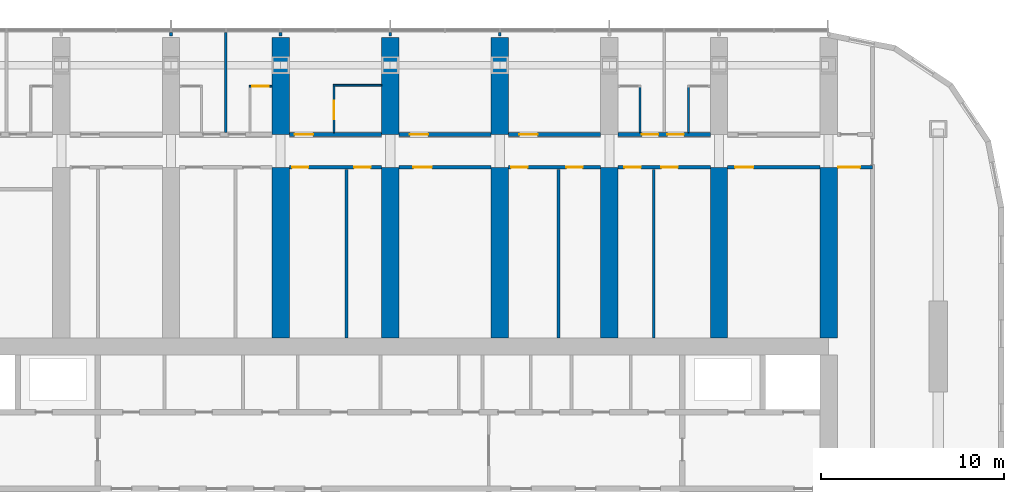
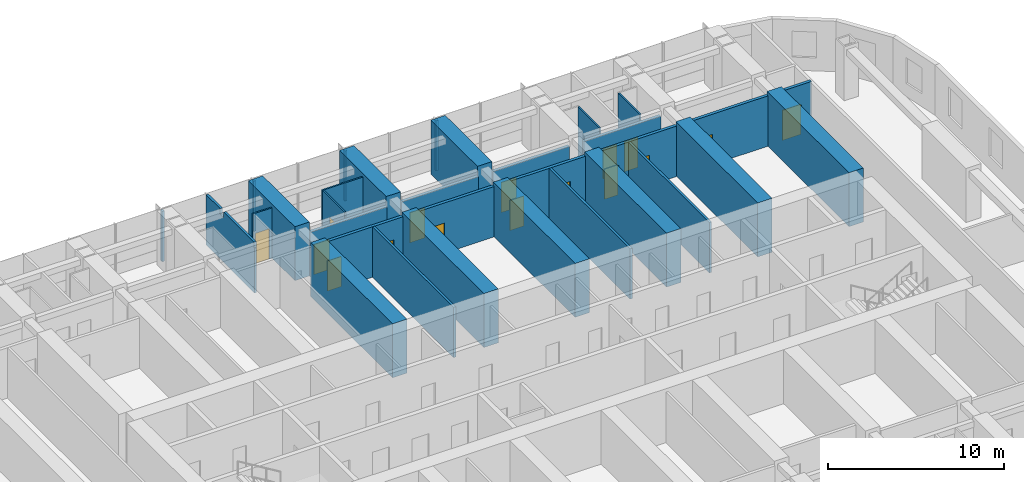
# One storey, part 14 of 21: 32 walls, 16 doors, 16 openings.
"""IFC4 building model written with IfcOpenShell, lengths in metres."""

from ifc_helpers import new_model, si_unit, direction, frame, frame_2d, origin, place, context, subcontext, project, spatial, polyline, rectangle, outline, extrude, material, layer, layer_set, type_object, element, fill, save


model = new_model("IFC4")

# Units and contexts
model_context = context("Model", 3, precision=1e-05, world=origin(), true_north=direction((0.0, 1.0)))
body_context = subcontext(model_context, "Body", "Model", "MODEL_VIEW")
ifc_project = project(units=[si_unit("LENGTHUNIT", "METRE"), si_unit("AREAUNIT", "SQUARE_METRE"), si_unit("VOLUMEUNIT", "CUBIC_METRE"), si_unit("PLANEANGLEUNIT", "RADIAN"), si_unit("MASSUNIT", "GRAM", prefix="KILO")], contexts=[model_context])

# Site, building, storey
site_placement = place(None, origin())
site = spatial("IfcSite", under=ifc_project, at=site_placement, CompositionType="ELEMENT")
building_placement = place(site_placement, origin())
building = spatial("IfcBuilding", under=site, at=building_placement, Name="Orbita Commons", CompositionType="ELEMENT")
storey_placement = place(building_placement, frame((0.0, 0.0, 125.64990234375)))
storey = spatial("IfcBuildingStorey", under=building, at=storey_placement, Name="L31", CompositionType="ELEMENT", Elevation=125.64990234375)

# Wall, opening, door
ifc_material_1 = material(Name="Concrete blockwork", Category="masonry")
ifc_layer_1 = layer(ifc_material_1, 0.199951171875)
ifc_layer_set_1 = layer_set([ifc_layer_1], Name="Concrete blockwork")
wall_type_1 = type_object("IfcWallType", Name="Corridor wall 200 blockwork", PredefinedType="SOLIDWALL", material=ifc_layer_set_1)
wall_1_placement = place(storey_placement, frame((36.47509765625, 49.800048828125, 0.0), z_axis=(0.0, 0.0, 1.0), x_axis=(1.0, 0.0, 0.0)))
wall_1 = element("IfcWall", 1, at=wall_1_placement, inside=storey, type_object=wall_type_1, Name="Corridor wall 200 blockwork L31", PredefinedType="SOLIDWALL", context=body_context, shape_type="SweptSolid", body=[
    extrude(outline(polyline([(0.0, 0.0), (5.0498046875, 0.0), (5.050048828125, 3.10009765625), (0.0, 3.10009765625), (0.0, 0.0)])), frame((0.0, 0.10009765625, 0.0), z_axis=(0.0, -1.0, 0.0), x_axis=(1.0, 0.0, 0.0)), (0.0, 0.0, 1.0), 0.199951171875),
])
opening_1_placement = place(wall_1_placement, frame((0.300048828125, 0.0, 0.0)))
opening_1 = element("IfcOpeningElement", 2, at=opening_1_placement, cuts=wall_1, Name="Opening D06", PredefinedType="OPENING", context=body_context, shape_type="SweptSolid", body=[
    extrude(rectangle(XDim=1.0, YDim=2.10009765625, at=frame_2d((0.5, 1.050048828125))), frame((0.0, 0.10986328125, 0.0), z_axis=(0.0, -1.0, 0.0), x_axis=(1.0, 0.0, 0.0)), (0.0, 0.0, 1.0), 0.219970703125),
])
ifc_material_2 = material(Name="Steel-faced fire door leaf", Category="steel")
door_type_1 = type_object("IfcDoorType", Name="Corridor door 20 min 1000x2100", OperationType="SINGLE_SWING_LEFT", PredefinedType="DOOR", material=ifc_material_2)
door_1_placement = place(opening_1_placement, origin())
door_1 = element("IfcDoor", 3, at=door_1_placement, inside=storey, type_object=door_type_1, Name="Accessible bedroom L31-N08 door", OperationType="SINGLE_SWING_LEFT", OverallHeight=2.10009765625, OverallWidth=1.0, PredefinedType="DOOR", context=body_context, shape_type="SweptSolid", body=[
    extrude(rectangle(XDim=1.0, YDim=2.10009765625, at=frame_2d((0.5, 1.050048828125))), frame((0.0, 0.02490234375, 0.0), z_axis=(0.0, -1.0, 0.0), x_axis=(1.0, 0.0, 0.0)), (0.0, 0.0, 1.0), 0.050048828125),
])
fill(opening_1, door_1)

wall_2_placement = place(storey_placement, frame((42.47509765625, 49.800048828125, 0.0), z_axis=(0.0, 0.0, 1.0), x_axis=(1.0, 0.0, 0.0)))
wall_2 = element("IfcWall", 4, at=wall_2_placement, inside=storey, type_object=wall_type_1, Name="Corridor wall 200 blockwork L31", PredefinedType="SOLIDWALL", context=body_context, shape_type="SweptSolid", body=[
    extrude(outline(polyline([(0.0, 0.0), (5.0498046875, 0.0), (5.050048828125, 3.10009765625), (0.0, 3.10009765625), (0.0, 0.0)])), frame((0.0, 0.10009765625, 0.0), z_axis=(0.0, -1.0, 0.0), x_axis=(1.0, 0.0, 0.0)), (0.0, 0.0, 1.0), 0.199951171875),
])
opening_2_placement = place(wall_2_placement, frame((0.60009765625, 0.0, 0.0)))
opening_2 = element("IfcOpeningElement", 5, at=opening_2_placement, cuts=wall_2, Name="Opening D06", PredefinedType="OPENING", context=body_context, shape_type="SweptSolid", body=[
    extrude(rectangle(XDim=1.0, YDim=2.10009765625, at=frame_2d((0.5, 1.050048828125))), frame((0.0, 0.10986328125, 0.0), z_axis=(0.0, -1.0, 0.0), x_axis=(1.0, 0.0, 0.0)), (0.0, 0.0, 1.0), 0.219970703125),
])
door_2_placement = place(opening_2_placement, origin())
door_2 = element("IfcDoor", 6, at=door_2_placement, inside=storey, type_object=door_type_1, Name="Sea-view lounge L31-N10 door", OperationType="SINGLE_SWING_LEFT", OverallHeight=2.10009765625, OverallWidth=1.0, PredefinedType="DOOR", context=body_context, shape_type="SweptSolid", body=[
    extrude(rectangle(XDim=1.0, YDim=2.10009765625, at=frame_2d((0.5, 1.050048828125))), frame((0.0, 0.02490234375, 0.0), z_axis=(0.0, -1.0, 0.0), x_axis=(1.0, 0.0, 0.0)), (0.0, 0.0, 1.0), 0.050048828125),
])
fill(opening_2, door_2)

wall_3_placement = place(storey_placement, frame((48.47509765625, 49.800048828125, 0.0), z_axis=(0.0, 0.0, 1.0), x_axis=(1.0, 0.0, 0.0)))
wall_3 = element("IfcWall", 7, at=wall_3_placement, inside=storey, type_object=wall_type_1, Name="Corridor wall 200 blockwork L31", PredefinedType="SOLIDWALL", context=body_context, shape_type="SweptSolid", body=[
    extrude(outline(polyline([(0.0, 0.0), (5.0498046875, 0.0), (5.050048828125, 3.10009765625), (0.0, 3.10009765625), (0.0, 0.0)])), frame((0.0, 0.10009765625, 0.0), z_axis=(0.0, -1.0, 0.0), x_axis=(1.0, 0.0, 0.0)), (0.0, 0.0, 1.0), 0.199951171875),
])
opening_3_placement = place(wall_3_placement, frame((0.60009765625, 0.0, 0.0)))
opening_3 = element("IfcOpeningElement", 8, at=opening_3_placement, cuts=wall_3, Name="Opening D06", PredefinedType="OPENING", context=body_context, shape_type="SweptSolid", body=[
    extrude(rectangle(XDim=1.0, YDim=2.10009765625, at=frame_2d((0.5, 1.050048828125))), frame((0.0, 0.10986328125, 0.0), z_axis=(0.0, -1.0, 0.0), x_axis=(1.0, 0.0, 0.0)), (0.0, 0.0, 1.0), 0.219970703125),
])
door_3_placement = place(opening_3_placement, origin())
door_3 = element("IfcDoor", 9, at=door_3_placement, inside=storey, type_object=door_type_1, Name="Sea-view lounge L31-N12 door", OperationType="SINGLE_SWING_LEFT", OverallHeight=2.10009765625, OverallWidth=1.0, PredefinedType="DOOR", context=body_context, shape_type="SweptSolid", body=[
    extrude(rectangle(XDim=1.0, YDim=2.10009765625, at=frame_2d((0.5, 1.050048828125))), frame((0.0, 0.02490234375, 0.0), z_axis=(0.0, -1.0, 0.0), x_axis=(1.0, 0.0, 0.0)), (0.0, 0.0, 1.0), 0.050048828125),
])
fill(opening_3, door_3)

# Wall, openings, doors
wall_4_placement = place(storey_placement, frame((54.47509765625, 49.800048828125, 0.0), z_axis=(0.0, 0.0, 1.0), x_axis=(1.0, 0.0, 0.0)))
wall_4 = element("IfcWall", 10, at=wall_4_placement, inside=storey, type_object=wall_type_1, Name="Corridor wall 200 blockwork L31", PredefinedType="SOLIDWALL", context=body_context, shape_type="SweptSolid", body=[
    extrude(outline(polyline([(0.0, 0.0), (5.0498046875, 0.0), (5.050048828125, 3.10009765625), (0.0, 3.10009765625), (0.0, 0.0)])), frame((0.0, 0.10009765625, 0.0), z_axis=(0.0, -1.0, 0.0), x_axis=(1.0, 0.0, 0.0)), (0.0, 0.0, 1.0), 0.199951171875),
])
opening_4_placement = place(wall_4_placement, frame((1.300048828125, 0.0, 0.0)))
opening_4 = element("IfcOpeningElement", 11, at=opening_4_placement, cuts=wall_4, Name="Opening D11", PredefinedType="OPENING", context=body_context, shape_type="SweptSolid", body=[
    extrude(rectangle(XDim=0.89990234375, YDim=2.10009765625, at=frame_2d((0.449951171875, 1.050048828125))), frame((0.0, 0.10986328125, 0.0), z_axis=(0.0, -1.0, 0.0), x_axis=(1.0, 0.0, 0.0)), (0.0, 0.0, 1.0), 0.219970703125),
])
opening_5_placement = place(wall_4_placement, frame((2.699951171875, 0.0, 0.0)))
opening_5 = element("IfcOpeningElement", 12, at=opening_5_placement, cuts=wall_4, Name="Opening D11", PredefinedType="OPENING", context=body_context, shape_type="SweptSolid", body=[
    extrude(rectangle(XDim=0.89990234375, YDim=2.10009765625, at=frame_2d((0.449951171875, 1.050048828125))), frame((0.0, 0.10986328125, 0.0), z_axis=(0.0, -1.0, 0.0), x_axis=(1.0, 0.0, 0.0)), (0.0, 0.0, 1.0), 0.219970703125),
])
ifc_material_3 = material(Name="Steel-faced fire door leaf", Category="steel")
door_type_2 = type_object("IfcDoorType", Name="Corridor door 20 min 900x2100", OperationType="SINGLE_SWING_LEFT", PredefinedType="DOOR", material=ifc_material_3)
door_4_placement = place(opening_4_placement, origin())
door_4 = element("IfcDoor", 13, at=door_4_placement, inside=storey, type_object=door_type_2, Name="Cluster bedroom L31-N14 door", OperationType="SINGLE_SWING_LEFT", OverallHeight=2.10009765625, OverallWidth=0.89990234375, PredefinedType="DOOR", context=body_context, shape_type="SweptSolid", body=[
    extrude(rectangle(XDim=0.89990234375, YDim=2.10009765625, at=frame_2d((0.449951171875, 1.050048828125))), frame((0.0, 0.02490234375, 0.0), z_axis=(0.0, -1.0, 0.0), x_axis=(1.0, 0.0, 0.0)), (0.0, 0.0, 1.0), 0.050048828125),
])
fill(opening_4, door_4)
door_5_placement = place(opening_5_placement, origin())
door_5 = element("IfcDoor", 14, at=door_5_placement, inside=storey, type_object=door_type_2, Name="Cluster bedroom L31-N15 door", OperationType="SINGLE_SWING_LEFT", OverallHeight=2.10009765625, OverallWidth=0.89990234375, PredefinedType="DOOR", context=body_context, shape_type="SweptSolid", body=[
    extrude(rectangle(XDim=0.89990234375, YDim=2.10009765625, at=frame_2d((0.449951171875, 1.050048828125))), frame((0.0, 0.02490234375, 0.0), z_axis=(0.0, -1.0, 0.0), x_axis=(1.0, 0.0, 0.0)), (0.0, 0.0, 1.0), 0.050048828125),
])
fill(opening_5, door_5)

ifc_material_4 = material(Name="Hollow concrete block 200", Category="concrete")
ifc_layer_2 = layer(ifc_material_4, 0.199951171875)
ifc_layer_set_2 = layer_set([ifc_layer_2], Name="Hollow concrete block 200")
wall_type_2 = type_object("IfcWallType", Name="Corridor wall 200 hollow concrete block", PredefinedType="SOLIDWALL", material=ifc_layer_set_2)
wall_5_placement = place(storey_placement, frame((36.47509765625, 48.0, 0.0), z_axis=(0.0, 0.0, 1.0), x_axis=(1.0, 0.0, 0.0)))
wall_5 = element("IfcWall", 15, at=wall_5_placement, inside=storey, type_object=wall_type_2, Name="Corridor wall 200 hollow concrete block L31", PredefinedType="SOLIDWALL", context=body_context, shape_type="SweptSolid", body=[
    extrude(rectangle(XDim=5.0498046875, YDim=0.199951171875, at=frame_2d((2.52490234375, 0.0))), origin(), (0.0, 0.0, 1.0), 3.5),
])
opening_6_placement = place(wall_5_placement, frame((0.14990234375, 0.0, 0.0)))
opening_6 = element("IfcOpeningElement", 16, at=opening_6_placement, cuts=wall_5, Name="Opening D11", PredefinedType="OPENING", context=body_context, shape_type="SweptSolid", body=[
    extrude(rectangle(XDim=0.89990234375, YDim=2.10009765625, at=frame_2d((0.449951171875, 1.050048828125))), frame((0.0, 0.10986328125, 0.0), z_axis=(0.0, -1.0, 0.0), x_axis=(1.0, 0.0, 0.0)), (0.0, 0.0, 1.0), 0.219970703125),
])
opening_7_placement = place(wall_5_placement, frame((3.554931640625, 0.0, 0.0)))
opening_7 = element("IfcOpeningElement", 17, at=opening_7_placement, cuts=wall_5, Name="Opening D11", PredefinedType="OPENING", context=body_context, shape_type="SweptSolid", body=[
    extrude(rectangle(XDim=0.89990234375, YDim=2.10009765625, at=frame_2d((0.449951171875, 1.050048828125))), frame((0.0, 0.10986328125, 0.0), z_axis=(0.0, -1.0, 0.0), x_axis=(1.0, 0.0, 0.0)), (0.0, 0.0, 1.0), 0.219970703125),
])
door_6_placement = place(opening_6_placement, origin())
door_6 = element("IfcDoor", 18, at=door_6_placement, inside=storey, type_object=door_type_2, Name="Linen store L31-BDN36 door", OperationType="SINGLE_SWING_LEFT", OverallHeight=2.10009765625, OverallWidth=0.89990234375, PredefinedType="DOOR", context=body_context, shape_type="SweptSolid", body=[
    extrude(rectangle(XDim=0.89990234375, YDim=2.10009765625, at=frame_2d((0.449951171875, 1.050048828125))), frame((0.0, 0.02490234375, 0.0), z_axis=(0.0, -1.0, 0.0), x_axis=(1.0, 0.0, 0.0)), (0.0, 0.0, 1.0), 0.050048828125),
])
fill(opening_6, door_6)
door_7_placement = place(opening_7_placement, origin())
door_7 = element("IfcDoor", 19, at=door_7_placement, inside=storey, type_object=door_type_2, Name="Water heater cupboard L31-BDN36n door", OperationType="SINGLE_SWING_LEFT", OverallHeight=2.10009765625, OverallWidth=0.89990234375, PredefinedType="DOOR", context=body_context, shape_type="SweptSolid", body=[
    extrude(rectangle(XDim=0.89990234375, YDim=2.10009765625, at=frame_2d((0.449951171875, 1.050048828125))), frame((0.0, 0.02490234375, 0.0), z_axis=(0.0, -1.0, 0.0), x_axis=(1.0, 0.0, 0.0)), (0.0, 0.0, 1.0), 0.050048828125),
])
fill(opening_7, door_7)

# Wall, opening, door
wall_6_placement = place(storey_placement, frame((42.47509765625, 48.0, 0.0), z_axis=(0.0, 0.0, 1.0), x_axis=(1.0, 0.0, 0.0)))
wall_6 = element("IfcWall", 20, at=wall_6_placement, inside=storey, type_object=wall_type_2, Name="Corridor wall 200 hollow concrete block L31", PredefinedType="SOLIDWALL", context=body_context, shape_type="SweptSolid", body=[
    extrude(rectangle(XDim=5.0498046875, YDim=0.199951171875, at=frame_2d((2.52490234375, 0.0))), origin(), (0.0, 0.0, 1.0), 3.5),
])
opening_8_placement = place(wall_6_placement, frame((0.800048828125, 0.0, 0.0)))
opening_8 = element("IfcOpeningElement", 21, at=opening_8_placement, cuts=wall_6, Name="Opening D06", PredefinedType="OPENING", context=body_context, shape_type="SweptSolid", body=[
    extrude(rectangle(XDim=1.0, YDim=2.10009765625, at=frame_2d((0.5, 1.050048828125))), frame((0.0, 0.10986328125, 0.0), z_axis=(0.0, -1.0, 0.0), x_axis=(1.0, 0.0, 0.0)), (0.0, 0.0, 1.0), 0.219970703125),
])
door_8_placement = place(opening_8_placement, origin())
door_8 = element("IfcDoor", 22, at=door_8_placement, inside=storey, type_object=door_type_1, Name="Refuse and recycling room L31-BDN42 door", OperationType="SINGLE_SWING_LEFT", OverallHeight=2.10009765625, OverallWidth=1.0, PredefinedType="DOOR", context=body_context, shape_type="SweptSolid", body=[
    extrude(rectangle(XDim=1.0, YDim=2.10009765625, at=frame_2d((0.5, 1.050048828125))), frame((0.0, 0.02490234375, 0.0), z_axis=(0.0, -1.0, 0.0), x_axis=(1.0, 0.0, 0.0)), (0.0, 0.0, 1.0), 0.050048828125),
])
fill(opening_8, door_8)

# Wall, openings, doors
wall_7_placement = place(storey_placement, frame((48.47509765625, 48.0, 0.0), z_axis=(0.0, 0.0, 1.0), x_axis=(1.0, 0.0, 0.0)))
wall_7 = element("IfcWall", 23, at=wall_7_placement, inside=storey, type_object=wall_type_2, Name="Corridor wall 200 hollow concrete block L31", PredefinedType="SOLIDWALL", context=body_context, shape_type="SweptSolid", body=[
    extrude(rectangle(XDim=5.0498046875, YDim=0.199951171875, at=frame_2d((2.52490234375, 0.0))), origin(), (0.0, 0.0, 1.0), 3.5),
])
opening_9_placement = place(wall_7_placement, frame((0.14990234375, 0.0, 0.0)))
opening_9 = element("IfcOpeningElement", 24, at=opening_9_placement, cuts=wall_7, Name="Opening D11", PredefinedType="OPENING", context=body_context, shape_type="SweptSolid", body=[
    extrude(rectangle(XDim=0.89990234375, YDim=2.10009765625, at=frame_2d((0.449951171875, 1.050048828125))), frame((0.0, 0.10986328125, 0.0), z_axis=(0.0, -1.0, 0.0), x_axis=(1.0, 0.0, 0.0)), (0.0, 0.0, 1.0), 0.219970703125),
])
opening_10_placement = place(wall_7_placement, frame((3.1650390625, 0.0, 0.0)))
opening_10 = element("IfcOpeningElement", 25, at=opening_10_placement, cuts=wall_7, Name="Opening D11", PredefinedType="OPENING", context=body_context, shape_type="SweptSolid", body=[
    extrude(rectangle(XDim=0.89990234375, YDim=2.10009765625, at=frame_2d((0.449951171875, 1.050048828125))), frame((0.0, 0.10986328125, 0.0), z_axis=(0.0, -1.0, 0.0), x_axis=(1.0, 0.0, 0.0)), (0.0, 0.0, 1.0), 0.219970703125),
])
door_9_placement = place(opening_9_placement, origin())
door_9 = element("IfcDoor", 26, at=door_9_placement, inside=storey, type_object=door_type_2, Name="Bulk and luggage store L31-BDN48 door", OperationType="SINGLE_SWING_LEFT", OverallHeight=2.10009765625, OverallWidth=0.89990234375, PredefinedType="DOOR", context=body_context, shape_type="SweptSolid", body=[
    extrude(rectangle(XDim=0.89990234375, YDim=2.10009765625, at=frame_2d((0.449951171875, 1.050048828125))), frame((0.0, 0.02490234375, 0.0), z_axis=(0.0, -1.0, 0.0), x_axis=(1.0, 0.0, 0.0)), (0.0, 0.0, 1.0), 0.050048828125),
])
fill(opening_9, door_9)
door_10_placement = place(opening_10_placement, origin())
door_10 = element("IfcDoor", 27, at=door_10_placement, inside=storey, type_object=door_type_2, Name="Battery and UPS room L31-BDN48n door", OperationType="SINGLE_SWING_LEFT", OverallHeight=2.10009765625, OverallWidth=0.89990234375, PredefinedType="DOOR", context=body_context, shape_type="SweptSolid", body=[
    extrude(rectangle(XDim=0.89990234375, YDim=2.10009765625, at=frame_2d((0.449951171875, 1.050048828125))), frame((0.0, 0.02490234375, 0.0), z_axis=(0.0, -1.0, 0.0), x_axis=(1.0, 0.0, 0.0)), (0.0, 0.0, 1.0), 0.050048828125),
])
fill(opening_10, door_10)

wall_8_placement = place(storey_placement, frame((54.47509765625, 48.0, 0.0), z_axis=(0.0, 0.0, 1.0), x_axis=(1.0, 0.0, 0.0)))
wall_8 = element("IfcWall", 28, at=wall_8_placement, inside=storey, type_object=wall_type_2, Name="Corridor wall 200 hollow concrete block L31", PredefinedType="SOLIDWALL", context=body_context, shape_type="SweptSolid", body=[
    extrude(rectangle(XDim=5.0498046875, YDim=0.199951171875, at=frame_2d((2.52490234375, 0.0))), origin(), (0.0, 0.0, 1.0), 3.5),
])
opening_11_placement = place(wall_8_placement, frame((0.35009765625, 0.0, 0.0)))
opening_11 = element("IfcOpeningElement", 29, at=opening_11_placement, cuts=wall_8, Name="Opening D11", PredefinedType="OPENING", context=body_context, shape_type="SweptSolid", body=[
    extrude(rectangle(XDim=0.89990234375, YDim=2.10009765625, at=frame_2d((0.449951171875, 1.050048828125))), frame((0.0, 0.10986328125, 0.0), z_axis=(0.0, -1.0, 0.0), x_axis=(1.0, 0.0, 0.0)), (0.0, 0.0, 1.0), 0.219970703125),
])
opening_12_placement = place(wall_8_placement, frame((2.375, 0.0, 0.0)))
opening_12 = element("IfcOpeningElement", 30, at=opening_12_placement, cuts=wall_8, Name="Opening D11", PredefinedType="OPENING", context=body_context, shape_type="SweptSolid", body=[
    extrude(rectangle(XDim=0.89990234375, YDim=2.10009765625, at=frame_2d((0.449951171875, 1.050048828125))), frame((0.0, 0.10986328125, 0.0), z_axis=(0.0, -1.0, 0.0), x_axis=(1.0, 0.0, 0.0)), (0.0, 0.0, 1.0), 0.219970703125),
])
door_11_placement = place(opening_11_placement, origin())
door_11 = element("IfcDoor", 31, at=door_11_placement, inside=storey, type_object=door_type_2, Name="Sprinkler valve room L31-BDN54n door", OperationType="SINGLE_SWING_LEFT", OverallHeight=2.10009765625, OverallWidth=0.89990234375, PredefinedType="DOOR", context=body_context, shape_type="SweptSolid", body=[
    extrude(rectangle(XDim=0.89990234375, YDim=2.10009765625, at=frame_2d((0.449951171875, 1.050048828125))), frame((0.0, 0.02490234375, 0.0), z_axis=(0.0, -1.0, 0.0), x_axis=(1.0, 0.0, 0.0)), (0.0, 0.0, 1.0), 0.050048828125),
])
fill(opening_11, door_11)
door_12_placement = place(opening_12_placement, origin())
door_12 = element("IfcDoor", 32, at=door_12_placement, inside=storey, type_object=door_type_2, Name="Cleaners store L31-BDN54 door", OperationType="SINGLE_SWING_LEFT", OverallHeight=2.10009765625, OverallWidth=0.89990234375, PredefinedType="DOOR", context=body_context, shape_type="SweptSolid", body=[
    extrude(rectangle(XDim=0.89990234375, YDim=2.10009765625, at=frame_2d((0.449951171875, 1.050048828125))), frame((0.0, 0.02490234375, 0.0), z_axis=(0.0, -1.0, 0.0), x_axis=(1.0, 0.0, 0.0)), (0.0, 0.0, 1.0), 0.050048828125),
])
fill(opening_12, door_12)

# Wall, opening, door
wall_9_placement = place(storey_placement, frame((60.47509765625, 48.0, 0.0), z_axis=(0.0, 0.0, 1.0), x_axis=(1.0, 0.0, 0.0)))
wall_9 = element("IfcWall", 33, at=wall_9_placement, inside=storey, type_object=wall_type_2, Name="Corridor wall 200 hollow concrete block L31", PredefinedType="SOLIDWALL", context=body_context, shape_type="SweptSolid", body=[
    extrude(rectangle(XDim=5.0498046875, YDim=0.199951171875, at=frame_2d((2.52490234375, 0.0))), origin(), (0.0, 0.0, 1.0), 3.5),
])
opening_13_placement = place(wall_9_placement, frame((0.39990234375, 0.0, 0.0)))
opening_13 = element("IfcOpeningElement", 34, at=opening_13_placement, cuts=wall_9, Name="Opening D06", PredefinedType="OPENING", context=body_context, shape_type="SweptSolid", body=[
    extrude(rectangle(XDim=1.0, YDim=2.10009765625, at=frame_2d((0.5, 1.050048828125))), frame((0.0, 0.10986328125, 0.0), z_axis=(0.0, -1.0, 0.0), x_axis=(1.0, 0.0, 0.0)), (0.0, 0.0, 1.0), 0.219970703125),
])
door_13_placement = place(opening_13_placement, origin())
door_13 = element("IfcDoor", 35, at=door_13_placement, inside=storey, type_object=door_type_1, Name="Store L31-BDN60 door", OperationType="SINGLE_SWING_LEFT", OverallHeight=2.10009765625, OverallWidth=1.0, PredefinedType="DOOR", context=body_context, shape_type="SweptSolid", body=[
    extrude(rectangle(XDim=1.0, YDim=2.10009765625, at=frame_2d((0.5, 1.050048828125))), frame((0.0, 0.02490234375, 0.0), z_axis=(0.0, -1.0, 0.0), x_axis=(1.0, 0.0, 0.0)), (0.0, 0.0, 1.0), 0.050048828125),
])
fill(opening_13, door_13)

wall_10_placement = place(storey_placement, frame((66.47509765625, 48.0, 0.0), z_axis=(0.0, 0.0, 1.0), x_axis=(1.0, 0.0, 0.0)))
wall_10 = element("IfcWall", 36, at=wall_10_placement, inside=storey, type_object=wall_type_2, Name="Corridor wall 200 hollow concrete block L31", PredefinedType="SOLIDWALL", context=body_context, shape_type="SweptSolid", body=[
    extrude(rectangle(XDim=1.9248046875, YDim=0.199951171875, at=frame_2d((0.96240234375, 0.0))), origin(), (0.0, 0.0, 1.0), 3.5),
])
opening_14_placement = place(wall_10_placement, frame((0.050048828125, 0.0, 0.0)))
opening_14 = element("IfcOpeningElement", 37, at=opening_14_placement, cuts=wall_10, Name="Opening D12", PredefinedType="OPENING", context=body_context, shape_type="SweptSolid", body=[
    extrude(rectangle(XDim=1.199951171875, YDim=2.10009765625, at=frame_2d((0.60009765625, 1.050048828125))), frame((0.0, 0.10986328125, 0.0), z_axis=(0.0, -1.0, 0.0), x_axis=(1.0, 0.0, 0.0)), (0.0, 0.0, 1.0), 0.219970703125),
])
ifc_material_5 = material(Name="Steel-faced fire door leaf", Category="steel")
door_type_3 = type_object("IfcDoorType", Name="Double corridor door 20 min 1200x2100", OperationType="DOUBLE_DOOR_SINGLE_SWING", PredefinedType="DOOR", material=ifc_material_5)
door_14_placement = place(opening_14_placement, origin())
door_14 = element("IfcDoor", 38, at=door_14_placement, inside=storey, type_object=door_type_3, Name="Cross corridor doors", OperationType="DOUBLE_DOOR_SINGLE_SWING", OverallHeight=2.10009765625, OverallWidth=1.199951171875, PredefinedType="DOOR", context=body_context, shape_type="SweptSolid", body=[
    extrude(rectangle(XDim=1.199951171875, YDim=2.10009765625, at=frame_2d((0.60009765625, 1.050048828125))), frame((0.0, 0.02490234375, 0.0), z_axis=(0.0, -1.0, 0.0), x_axis=(1.0, 0.0, 0.0)), (0.0, 0.0, 1.0), 0.050048828125),
])
fill(opening_14, door_14)

# Walls
ifc_material_6 = material(Name="Concrete C50/60", Category="concrete")
ifc_layer_3 = layer(ifc_material_6, 0.949951171875)
ifc_layer_set_3 = layer_set([ifc_layer_3], Name="Concrete C50/60")
wall_type_3 = type_object("IfcWallType", Name="Cross wall 950 C50/60", PredefinedType="SHEAR", material=ifc_layer_set_3)
wall_11_placement = place(storey_placement, frame((36.0, 49.800048828125, 0.0), z_axis=(0.0, 0.0, 1.0), x_axis=(0.0, 1.0, 0.0)))
element("IfcWall", 39, at=wall_11_placement, inside=storey, type_object=wall_type_3, Name="Cross wall 7 north outer L31", PredefinedType="SHEAR", context=body_context, shape_type="SweptSolid", body=[
    extrude(rectangle(XDim=5.300048828125, YDim=0.949951171875, at=frame_2d((2.64990234375, 0.0))), origin(), (0.0, 0.0, 1.0), 3.75),
])
wall_12_placement = place(storey_placement, frame((36.0, 38.675048828125, 0.0), z_axis=(0.0, 0.0, 1.0), x_axis=(0.0, 1.0, 0.0)))
element("IfcWall", 40, at=wall_12_placement, inside=storey, type_object=wall_type_3, Name="Cross wall 7 north inner L31", PredefinedType="SHEAR", context=body_context, shape_type="SweptSolid", body=[
    extrude(rectangle(XDim=9.324951171875, YDim=0.949951171875, at=frame_2d((4.66259765625, 0.0))), origin(), (0.0, 0.0, 1.0), 3.75),
])
wall_13_placement = place(storey_placement, frame((42.0, 49.800048828125, 0.0), z_axis=(0.0, 0.0, 1.0), x_axis=(0.0, 1.0, 0.0)))
element("IfcWall", 41, at=wall_13_placement, inside=storey, type_object=wall_type_3, Name="Cross wall 8 north outer L31", PredefinedType="SHEAR", context=body_context, shape_type="SweptSolid", body=[
    extrude(rectangle(XDim=5.300048828125, YDim=0.949951171875, at=frame_2d((2.64990234375, 0.0))), origin(), (0.0, 0.0, 1.0), 3.75),
])
wall_14_placement = place(storey_placement, frame((42.0, 38.675048828125, 0.0), z_axis=(0.0, 0.0, 1.0), x_axis=(0.0, 1.0, 0.0)))
element("IfcWall", 42, at=wall_14_placement, inside=storey, type_object=wall_type_3, Name="Cross wall 8 north inner L31", PredefinedType="SHEAR", context=body_context, shape_type="SweptSolid", body=[
    extrude(rectangle(XDim=9.324951171875, YDim=0.949951171875, at=frame_2d((4.66259765625, 0.0))), origin(), (0.0, 0.0, 1.0), 3.75),
])
wall_15_placement = place(storey_placement, frame((48.0, 49.800048828125, 0.0), z_axis=(0.0, 0.0, 1.0), x_axis=(0.0, 1.0, 0.0)))
element("IfcWall", 43, at=wall_15_placement, inside=storey, type_object=wall_type_3, Name="Cross wall 9 north outer L31", PredefinedType="SHEAR", context=body_context, shape_type="SweptSolid", body=[
    extrude(rectangle(XDim=5.300048828125, YDim=0.949951171875, at=frame_2d((2.64990234375, 0.0))), origin(), (0.0, 0.0, 1.0), 3.75),
])
for number, where, z_axis, x_axis, name in (
    (44, (48.0, 38.675048828125, 0.0), (0.0, 0.0, 1.0), (0.0, 1.0, 0.0), "Cross wall 9 north inner L31"),
    (45, (54.0, 38.675048828125, 0.0), (0.0, 0.0, 1.0), (0.0, 1.0, 0.0), "Cross wall 10 north inner L31"),
    (46, (60.0, 38.675048828125, 0.0), (0.0, 0.0, 1.0), (0.0, 1.0, 0.0), "Cross wall 11 north inner L31"),
    (47, (66.0, 38.675048828125, 0.0), (0.0, 0.0, 1.0), (0.0, 1.0, 0.0), "Cross wall 12 north inner L31"),
):
    element("IfcWall", number, at=place(storey_placement, frame(where, z_axis=z_axis, x_axis=x_axis)), inside=storey, type_object=wall_type_3, Name=name, PredefinedType="SHEAR", context=body_context, shape_type="SweptSolid", body=[
        extrude(rectangle(XDim=9.324951171875, YDim=0.949951171875, at=frame_2d((4.66259765625, 0.0))), origin(), (0.0, 0.0, 1.0), 3.75),
    ])

# Wall, opening, door
ifc_material_7 = material(Name="Moisture-resistant plasterboard on steel studs", Category="steel")
ifc_layer_4 = layer(ifc_material_7, 0.10009765625)
ifc_layer_set_4 = layer_set([ifc_layer_4], Name="Moisture-resistant plasterboard on steel studs")
wall_type_4 = type_object("IfcWallType", Name="En-suite partition 100", PredefinedType="PARTITIONING", material=ifc_layer_set_4)
wall_16_placement = place(storey_placement, frame((34.27490234375, 52.441650390625, 0.0), z_axis=(0.0, 0.0, 1.0), x_axis=(1.0, 0.0, 0.0)))
wall_16 = element("IfcWall", 48, at=wall_16_placement, inside=storey, type_object=wall_type_4, Name="En-suite partition 100 L31", PredefinedType="PARTITIONING", context=body_context, shape_type="SweptSolid", body=[
    extrude(rectangle(XDim=1.25, YDim=0.10009765625, at=frame_2d((0.625, 0.0))), origin(), (0.0, 0.0, 1.0), 3.5),
])
opening_15_placement = place(wall_16_placement, frame((0.175048828125, 0.0, 0.0)))
opening_15 = element("IfcOpeningElement", 49, at=opening_15_placement, cuts=wall_16, Name="Opening D09", PredefinedType="OPENING", context=body_context, shape_type="SweptSolid", body=[
    extrude(rectangle(XDim=0.89990234375, YDim=2.10009765625, at=frame_2d((0.449951171875, 1.050048828125))), frame((0.0, 0.06005859375, 0.0), z_axis=(0.0, -1.0, 0.0), x_axis=(1.0, 0.0, 0.0)), (0.0, 0.0, 1.0), 0.1201171875),
])
ifc_material_8 = material(Name="Laminated timber door leaf", Category="wood")
door_type_4 = type_object("IfcDoorType", Name="En-suite door 900x2100", OperationType="SINGLE_SWING_RIGHT", PredefinedType="DOOR", material=ifc_material_8)
door_15_placement = place(opening_15_placement, origin())
door_15 = element("IfcDoor", 50, at=door_15_placement, inside=storey, type_object=door_type_4, Name="En-suite L31-N07 door", OperationType="SINGLE_SWING_RIGHT", OverallHeight=2.10009765625, OverallWidth=0.89990234375, PredefinedType="DOOR", context=body_context, shape_type="SweptSolid", body=[
    extrude(rectangle(XDim=0.89990234375, YDim=2.10009765625, at=frame_2d((0.449951171875, 1.050048828125))), frame((0.0, 0.02490234375, 0.0), z_axis=(0.0, -1.0, 0.0), x_axis=(1.0, 0.0, 0.0)), (0.0, 0.0, 1.0), 0.050048828125),
])
fill(opening_15, door_15)

# Wall
wall_17_placement = place(storey_placement, frame((38.875, 52.5, 0.0), z_axis=(0.0, 0.0, 1.0), x_axis=(1.0, 0.0, 0.0)))
element("IfcWall", 51, at=wall_17_placement, inside=storey, type_object=wall_type_4, Name="En-suite partition 100 L31", PredefinedType="PARTITIONING", context=body_context, shape_type="SweptSolid", body=[
    extrude(rectangle(XDim=2.64990234375, YDim=0.10009765625, at=frame_2d((1.324951171875, 0.0))), origin(), (0.0, 0.0, 1.0), 3.5),
])

# Wall, opening, door
wall_18_placement = place(storey_placement, frame((38.925048828125, 52.449951171875, 0.0), z_axis=(0.0, 0.0, 1.0), x_axis=(0.0, -1.0, 0.0)))
wall_18 = element("IfcWall", 52, at=wall_18_placement, inside=storey, type_object=wall_type_4, Name="En-suite partition 100 L31", PredefinedType="PARTITIONING", context=body_context, shape_type="SweptSolid", body=[
    extrude(outline(polyline([(0.0, 0.0), (2.550048828125, 0.0), (2.550048828125, 3.10009765625), (2.501953125, 3.10009765625), (2.5, 3.5), (0.0, 3.5), (0.0, 0.0)])), frame((0.0, 0.050048828125, 0.0), z_axis=(0.0, -1.0, 0.0), x_axis=(1.0, 0.0, 0.0)), (0.0, 0.0, 1.0), 0.10009765625),
])
opening_16_placement = place(wall_18_placement, frame((0.800048828125, 0.0, 0.0)))
opening_16 = element("IfcOpeningElement", 53, at=opening_16_placement, cuts=wall_18, Name="Opening D13", PredefinedType="OPENING", context=body_context, shape_type="SweptSolid", body=[
    extrude(rectangle(XDim=1.0, YDim=2.10009765625, at=frame_2d((0.5, 1.050048828125))), frame((0.0, 0.06005859375, 0.0), z_axis=(0.0, -1.0, 0.0), x_axis=(1.0, 0.0, 0.0)), (0.0, 0.0, 1.0), 0.1201171875),
])
ifc_material_9 = material(Name="Laminated timber door leaf", Category="wood")
door_type_5 = type_object("IfcDoorType", Name="En-suite door 1000x2100", OperationType="SINGLE_SWING_RIGHT", PredefinedType="DOOR", material=ifc_material_9)
door_16_placement = place(opening_16_placement, origin())
door_16 = element("IfcDoor", 54, at=door_16_placement, inside=storey, type_object=door_type_5, Name="Accessible shower room L31-N08 door", OperationType="SINGLE_SWING_RIGHT", OverallHeight=2.10009765625, OverallWidth=1.0, PredefinedType="DOOR", context=body_context, shape_type="SweptSolid", body=[
    extrude(rectangle(XDim=1.0, YDim=2.10009765625, at=frame_2d((0.5, 1.050048828125))), frame((0.0, 0.02490234375, 0.0), z_axis=(0.0, -1.0, 0.0), x_axis=(1.0, 0.0, 0.0)), (0.0, 0.0, 1.0), 0.050048828125),
])
fill(opening_16, door_16)

# Walls
for number, where, z_axis, x_axis, name in (
    (55, (55.675048828125, 52.3916015625, 0.0), (0.0, 0.0, 1.0), (0.0, -1.0, 0.0), "En-suite partition 100 L31"),
    (56, (58.324951171875, 52.3916015625, 0.0), (0.0, 0.0, 1.0), (0.0, -1.0, 0.0), "En-suite partition 100 L31"),
):
    element("IfcWall", number, at=place(storey_placement, frame(where, z_axis=z_axis, x_axis=x_axis)), inside=storey, type_object=wall_type_4, Name=name, PredefinedType="PARTITIONING", context=body_context, shape_type="SweptSolid", body=[
        extrude(outline(polyline([(0.0, 0.0), (2.49169921875, 0.0), (2.49169921875, 3.10009765625), (2.443603515625, 3.10009765625), (2.441650390625, 3.5), (0.0, 3.5), (0.0, 0.0)])), frame((0.0, 0.050048828125, 0.0), z_axis=(0.0, -1.0, 0.0), x_axis=(1.0, 0.0, 0.0)), (0.0, 0.0, 1.0), 0.10009765625),
    ])
ifc_material_10 = material(Name="Gypsum plasterboard on steel studs", Category="steel")
ifc_layer_5 = layer(ifc_material_10, 0.14990234375)
ifc_layer_set_5 = layer_set([ifc_layer_5], Name="Gypsum plasterboard on steel studs")
wall_type_5 = type_object("IfcWallType", Name="Partition 150 plasterboard", PredefinedType="PARTITIONING", material=ifc_layer_set_5)
for number, where, z_axis, x_axis, name in (
    (57, (39.60498046875, 38.675048828125, 0.0), (0.0, 0.0, 1.0), (0.0, 1.0, 0.0), "Partition 150 plasterboard L31"),
    (58, (51.215087890625, 38.675048828125, 0.0), (0.0, 0.0, 1.0), (0.0, 1.0, 0.0), "Partition 150 plasterboard L31"),
    (59, (56.425048828125, 38.675048828125, 0.0), (0.0, 0.0, 1.0), (0.0, 1.0, 0.0), "Partition 150 plasterboard L31"),
):
    element("IfcWall", number, at=place(storey_placement, frame(where, z_axis=z_axis, x_axis=x_axis)), inside=storey, type_object=wall_type_5, Name=name, PredefinedType="PARTITIONING", context=body_context, shape_type="SweptSolid", body=[
        extrude(rectangle(XDim=9.224853515625, YDim=0.14990234375, at=frame_2d((4.6123046875, 0.0))), origin(), (0.0, 0.0, 1.0), 3.5),
    ])
for number, where, z_axis, x_axis, name in (
    (60, (30.0, 55.199951171875, 0.0), (0.0, 0.0, 1.0), (0.0, 1.0, 0.0), "Partition 150 plasterboard L31"),
    (61, (36.0, 55.199951171875, 0.0), (0.0, 0.0, 1.0), (0.0, 1.0, 0.0), "Partition 150 plasterboard L31"),
    (62, (42.0, 55.199951171875, 0.0), (0.0, 0.0, 1.0), (0.0, 1.0, 0.0), "Partition 150 plasterboard L31"),
    (63, (48.0, 55.199951171875, 0.0), (0.0, 0.0, 1.0), (0.0, 1.0, 0.0), "Partition 150 plasterboard L31"),
):
    element("IfcWall", number, at=place(storey_placement, frame(where, z_axis=z_axis, x_axis=x_axis)), inside=storey, type_object=wall_type_5, Name=name, PredefinedType="PARTITIONING", context=body_context, shape_type="SweptSolid", body=[
        extrude(rectangle(XDim=0.18994140625, YDim=0.14990234375, at=frame_2d((0.094970703125, 0.0))), origin(), (0.0, 0.0, 1.0), 3.5),
    ])
ifc_material_11 = material(Name="Gypsum plasterboard on steel studs", Category="steel")
ifc_layer_6 = layer(ifc_material_11, 0.14990234375)
ifc_layer_set_6 = layer_set([ifc_layer_6], Name="Gypsum plasterboard on steel studs")
wall_type_6 = type_object("IfcWallType", Name="Party wall 150 plasterboard", PredefinedType="PARTITIONING", material=ifc_layer_set_6)
wall_19_placement = place(storey_placement, frame((33.0, 55.389892578125, 0.0), z_axis=(0.0, 0.0, 1.0), x_axis=(0.0, -1.0, 0.0)))
element("IfcWall", 64, at=wall_19_placement, inside=storey, type_object=wall_type_6, Name="Party wall 150 plasterboard L31", PredefinedType="PARTITIONING", context=body_context, shape_type="SweptSolid", body=[
    extrude(outline(polyline([(0.0, 0.0), (5.489990234375, 0.0), (5.489990234375, 3.10009765625), (5.44189453125, 3.10009765625), (5.43994140625, 3.5), (1.991943359375, 3.5), (1.989990234375, 3.10009765625), (1.592041015625, 3.10009765625), (1.590087890625, 3.5), (0.0, 3.5), (0.0, 0.0)])), frame((0.0, 0.074951171875, 0.0), z_axis=(0.0, -1.0, 0.0), x_axis=(1.0, 0.0, 0.0)), (0.0, 0.0, 1.0), 0.14990234375),
])

save(model, "model.ifc")
